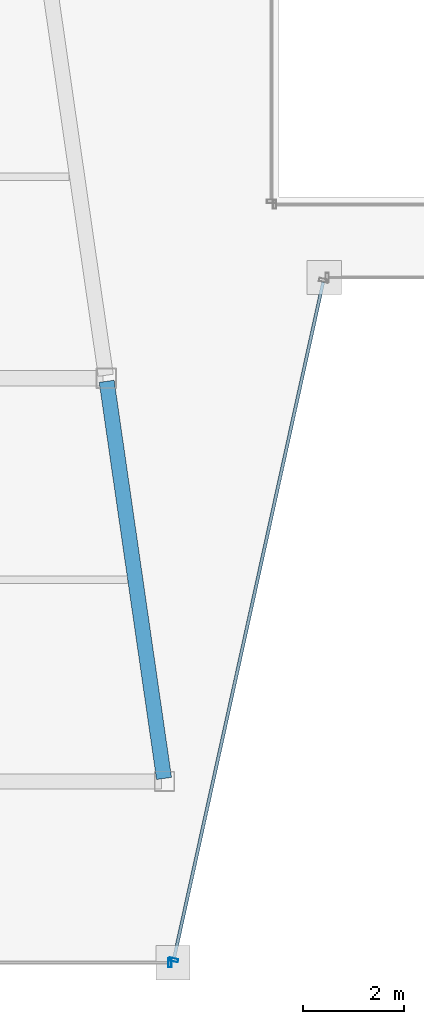
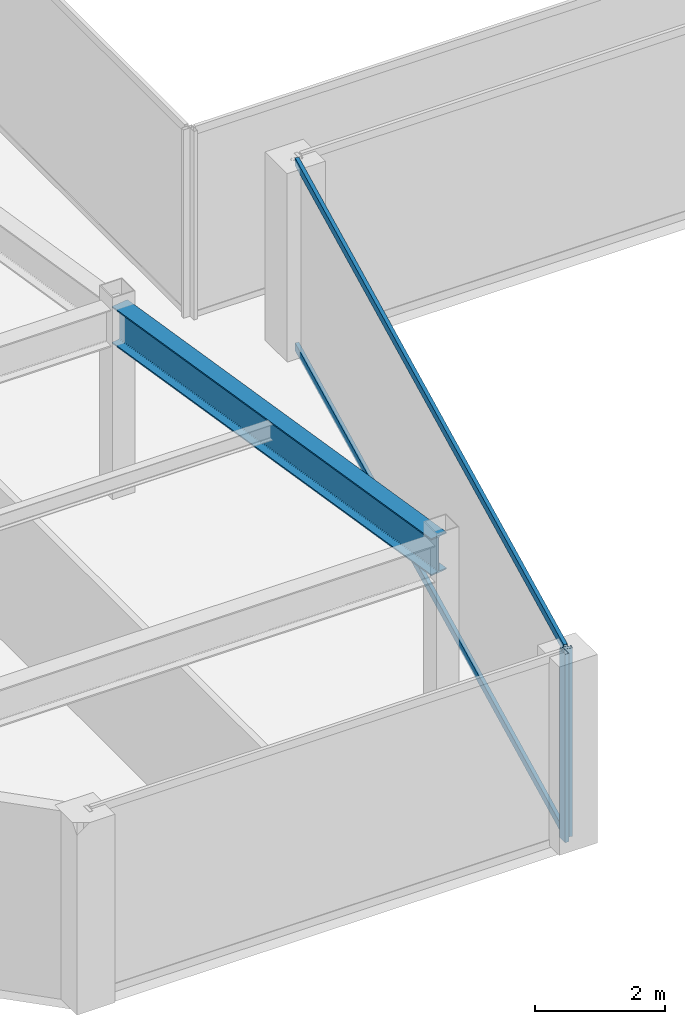
# One storey, part 6 of 36: 4 members, 1 beam, 2 elements without a shape of their own.
"""IFC4 building model written with IfcOpenShell, lengths in metres."""

from ifc_helpers import new_model, si_unit, direction, frame, origin, origin_2d, place, context, subcontext, project, spatial, hollow_rectangle, i_section, extrude, material, material_profile, profile_set, type_object, element, aggregate, save


model = new_model("IFC4")

# Units and contexts
model_context = context("Model", 3, precision=1e-05, world=origin(), true_north=direction((0.0, 1.0)))
body_context = subcontext(model_context, "Body", "Model", "MODEL_VIEW")
ifc_project = project(units=[si_unit("LENGTHUNIT", "METRE"), si_unit("AREAUNIT", "SQUARE_METRE"), si_unit("VOLUMEUNIT", "CUBIC_METRE"), si_unit("PLANEANGLEUNIT", "RADIAN"), si_unit("MASSUNIT", "GRAM", prefix="KILO")], contexts=[model_context])

# Site, building, storey
site_placement = place(None, origin())
site = spatial("IfcSite", under=ifc_project, at=site_placement, CompositionType="ELEMENT")
building_placement = place(site_placement, origin())
building = spatial("IfcBuilding", under=site, at=building_placement, Name="Saevonmaru Cultural Tower", CompositionType="ELEMENT")
storey_placement = place(building_placement, frame((0.0, 0.0, 201.800048828125)))
storey = spatial("IfcBuildingStorey", under=building, at=storey_placement, Name="L46", CompositionType="ELEMENT", Elevation=201.800048828125)

# Beam
ifc_material_1 = material(Name="Steel SM355", Category="steel")
ifc_material_profile_1 = material_profile(ifc_material_1, i_section(OverallWidth=0.300048828125, OverallDepth=0.699951171875, WebThickness=0.012939453125, FlangeThickness=0.02392578125, FilletRadius=0.02587890625, at=origin_2d()), Name="H-700x300x13x24")
ifc_profile_set_1 = profile_set([ifc_material_profile_1], Name="Steel SM355")
beam_type = type_object("IfcBeamType", Name="BM-G-H700", PredefinedType="BEAM", material=ifc_profile_set_1)
beam_placement = place(storey_placement, frame((21.91943359375, 16.059326171875, 3.199951171875), z_axis=(-0.143022161059, 0.989719486241, 0.0), x_axis=(-0.989719486241, -0.143022161059, 0.0)))
element("IfcBeam", 1, at=beam_placement, inside=storey, type_object=beam_type, Name="L46 West Atrium Girder 1", PredefinedType="BEAM", context=body_context, shape_type="SweptSolid", body=[
    extrude(i_section(OverallWidth=0.300048828125, OverallDepth=0.699951171875, WebThickness=0.012939453125, FlangeThickness=0.02392578125, FilletRadius=0.02587890625, at=origin_2d()), origin(), (0.0, 0.0, 1.0), 7.963134765625),
])

# Curtain wall, member
ifc_material_2 = material(Name="Satin Bronze Anodised Aluminium", Category="aluminium")
curtain_wall_type = type_object("IfcCurtainWallType", Name="CW-TYP-B", PredefinedType="NOTDEFINED", material=ifc_material_2)
curtain_wall_1_placement = place(storey_placement, origin())
curtain_wall_1 = element("IfcCurtainWall", 2, at=curtain_wall_1_placement, inside=storey, type_object=curtain_wall_type, Name="L46 Unitised Curtain Wall E2", PredefinedType="NOTDEFINED")
ifc_material_profile_2 = material_profile(ifc_material_2, hollow_rectangle(XDim=0.06494140625, YDim=0.179931640625, WallThickness=0.00390625, at=origin_2d()), Name="ALU-MULL-180x65x4")
ifc_profile_set_2 = profile_set([ifc_material_profile_2], Name="Satin Bronze Anodised Aluminium")
member_type_1 = type_object("IfcMemberType", Name="ML-CW-180x65", PredefinedType="MULLION", material=ifc_profile_set_2)
member_1_placement = place(storey_placement, frame((22.037841796875, 12.39990234375, 0.0), z_axis=(0.0, 0.0, 1.0), x_axis=(1.0, 0.0, 0.0)))
member_1 = element("IfcMember", 3, at=member_1_placement, type_object=member_type_1, Name="CW-TW-L46-E2 mullion 2", PredefinedType="MULLION", context=body_context, shape_type="SweptSolid", body=[
    extrude(hollow_rectangle(XDim=0.06494140625, YDim=0.179931640625, WallThickness=0.00390625, at=origin_2d()), origin(), (0.0, 0.0, 1.0), 3.550048828125),
])
aggregate(curtain_wall_1, [member_1])

# Curtain wall, members
curtain_wall_2_placement = place(storey_placement, origin())
curtain_wall_2 = element("IfcCurtainWall", 4, at=curtain_wall_2_placement, inside=storey, type_object=curtain_wall_type, Name="L46 Unitised Curtain Wall E3", PredefinedType="NOTDEFINED")
member_2_placement = place(storey_placement, frame((22.110595703125, 12.45849609375, 0.0), z_axis=(0.0, 0.0, 1.0), x_axis=(0.215413319953, 0.976522965212, 0.0)))
member_2 = element("IfcMember", 5, at=member_2_placement, type_object=member_type_1, Name="CW-TW-L46-E3 mullion 1", PredefinedType="MULLION", context=body_context, shape_type="SweptSolid", body=[
    extrude(hollow_rectangle(XDim=0.06494140625, YDim=0.179931640625, WallThickness=0.00390625, at=origin_2d()), origin(), (0.0, 0.0, 1.0), 3.550048828125),
])
ifc_material_profile_3 = material_profile(ifc_material_2, hollow_rectangle(XDim=0.06494140625, YDim=0.14990234375, WallThickness=0.00390625, at=origin_2d()), Name="ALU-TRAN-150x65x4")
ifc_profile_set_3 = profile_set([ifc_material_profile_3], Name="Satin Bronze Anodised Aluminium")
member_type_2 = type_object("IfcMemberType", Name="TR-CW-150x65", PredefinedType="USERDEFINED", material=ifc_profile_set_3)
member_3_placement = place(storey_placement, frame((22.11767578125, 12.490234375, 0.032470703125), z_axis=(0.21541214732, 0.976523223885, 0.0), x_axis=(-0.976523223885, 0.21541214732, 0.0)))
member_3 = element("IfcMember", 6, at=member_3_placement, type_object=member_type_2, Name="CW-TW-L46-E3 transom 1.1", ObjectType="TRANSOM", PredefinedType="USERDEFINED", context=body_context, shape_type="SweptSolid", body=[
    extrude(hollow_rectangle(XDim=0.06494140625, YDim=0.14990234375, WallThickness=0.00390625, at=origin_2d()), origin(), (0.0, 0.0, 1.0), 13.741943359375),
])
member_4_placement = place(storey_placement, frame((22.11767578125, 12.490234375, 3.517333984375), z_axis=(0.21541214732, 0.976523223885, 0.0), x_axis=(-0.976523223885, 0.21541214732, 0.0)))
member_4 = element("IfcMember", 7, at=member_4_placement, type_object=member_type_2, Name="CW-TW-L46-E3 transom 1.2", ObjectType="TRANSOM", PredefinedType="USERDEFINED", context=body_context, shape_type="SweptSolid", body=[
    extrude(hollow_rectangle(XDim=0.06494140625, YDim=0.14990234375, WallThickness=0.00390625, at=origin_2d()), origin(), (0.0, 0.0, 1.0), 13.741943359375),
])
aggregate(curtain_wall_2, [member_2, member_3, member_4])

save(model, "model.ifc")
